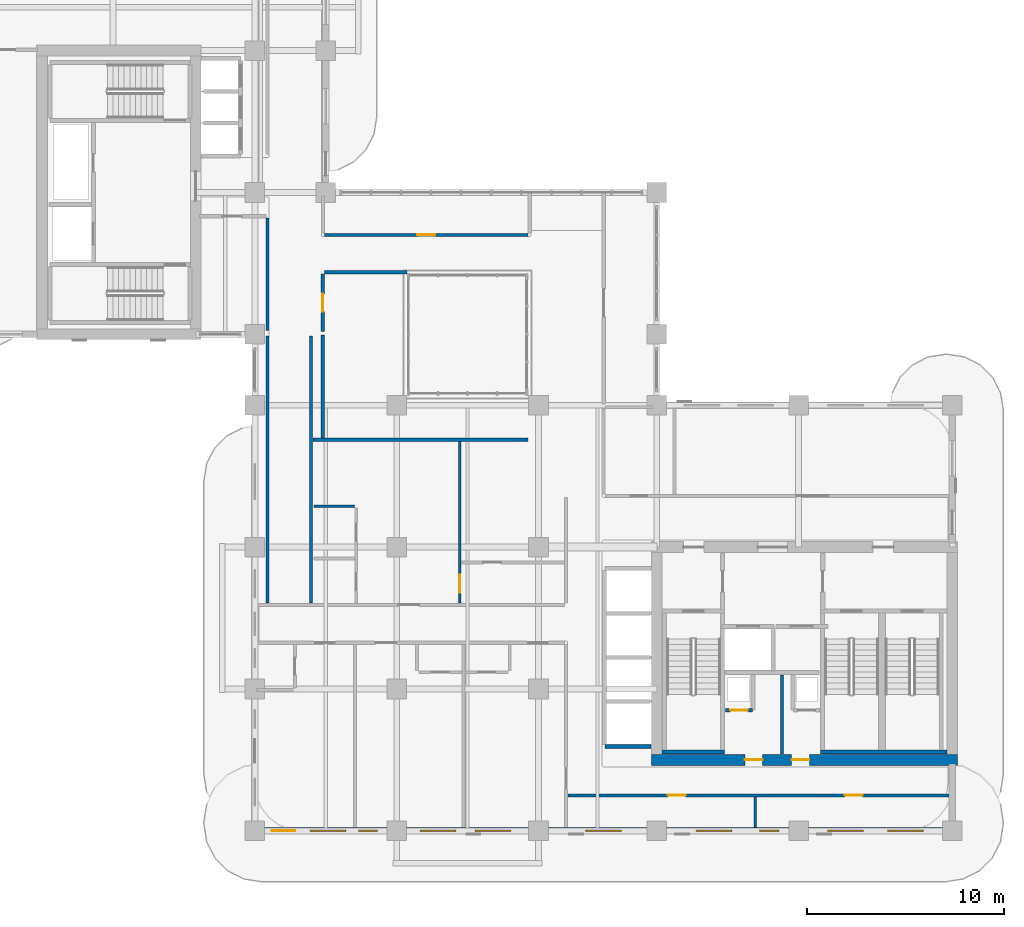
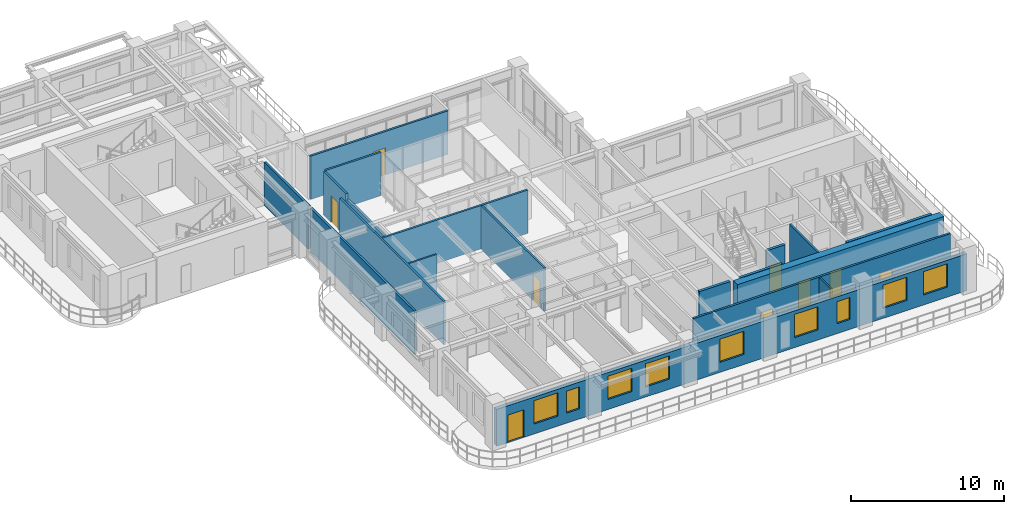
# One storey, part 12 of 20: 19 walls, 9 doors, 9 windows, 18 openings.
"""IFC4 building model written with IfcOpenShell, lengths in metres."""

from ifc_helpers import new_model, si_unit, derived_unit, direction, frame, frame_2d, origin, place, context, subcontext, project, spatial, rectangle, extrude, source, transform, mapped, material, layer, layer_set, type_object, type_shapes, element, fill, save


model = new_model("IFC4")

# Units and contexts
model_context = context("Model", 3, precision=1e-05, world=origin(), true_north=direction((0.0, 1.0)))
body_context = subcontext(model_context, "Body", "Model", "MODEL_VIEW")
ifc_project = project(units=[si_unit("LENGTHUNIT", "METRE"), si_unit("AREAUNIT", "SQUARE_METRE"), si_unit("VOLUMEUNIT", "CUBIC_METRE"), si_unit("PLANEANGLEUNIT", "RADIAN"), si_unit("MASSUNIT", "GRAM", prefix="KILO"), si_unit("THERMODYNAMICTEMPERATUREUNIT", "KELVIN"), si_unit("POWERUNIT", "WATT"), derived_unit("THERMALTRANSMITTANCEUNIT", [(si_unit("POWERUNIT", "WATT"), 1), (si_unit("AREAUNIT", "SQUARE_METRE"), -1), (si_unit("THERMODYNAMICTEMPERATUREUNIT", "KELVIN"), -1)])], contexts=[model_context])

# Site, building, storey
site_placement = place(None, origin())
site = spatial("IfcSite", under=ifc_project, at=site_placement, CompositionType="ELEMENT")
building_placement = place(site_placement, origin())
building = spatial("IfcBuilding", under=site, at=building_placement, Name="Zahravan Archway Hotel and Residences", CompositionType="ELEMENT")
storey_placement = place(building_placement, frame((0.0, 0.0, 130.300048828125)))
storey = spatial("IfcBuildingStorey", under=building, at=storey_placement, Name="L32", CompositionType="ELEMENT", Elevation=130.300048828125)

# Wall, openings, doors
ifc_material_1 = material(Name="Concrete C70/85", Category="concrete")
ifc_layer_1 = layer(ifc_material_1, 0.550048828125, Name="Concrete C70/85", Category="concrete")
ifc_layer_set_1 = layer_set([ifc_layer_1], Name="Concrete C70/85")
wall_type_1 = type_object("IfcWallType", Name="CW-CORE-550", PredefinedType="SHEAR", material=ifc_layer_set_1)
wall_1_placement = place(storey_placement, frame((34.52490234375, 3.60009765625, 0.0), z_axis=(0.0, 0.0, 1.0), x_axis=(1.0, 0.0, 0.0)))
wall_1 = element("IfcWall", 1, at=wall_1_placement, inside=storey, type_object=wall_type_1, Name="L32 Core A Shear S Wall 550 mm", PredefinedType="SHEAR", context=body_context, shape_type="SweptSolid", body=[
    extrude(rectangle(XDim=15.550048828125, YDim=0.550048828125, at=frame_2d((7.77490234375, 0.0))), origin(), (0.0, 0.0, 1.0), 3.699951171875),
])
opening_1_placement = place(wall_1_placement, frame((4.7451171875, 0.0, 0.0)))
opening_1 = element("IfcOpeningElement", 2, at=opening_1_placement, cuts=wall_1, Name="Opening FD-R1", PredefinedType="OPENING", context=body_context, shape_type="SweptSolid", body=[
    extrude(rectangle(XDim=0.89990234375, YDim=2.10009765625, at=frame_2d((0.449951171875, 1.050048828125))), frame((0.0, 0.28515625, 0.0), z_axis=(0.0, -1.0, 0.0), x_axis=(1.0, 0.0, 0.0)), (0.0, 0.0, 1.0), 0.570068359375),
])
opening_2_placement = place(wall_1_placement, frame((7.125, 0.0, 0.0)))
opening_2 = element("IfcOpeningElement", 3, at=opening_2_placement, cuts=wall_1, Name="Opening FD-R1", PredefinedType="OPENING", context=body_context, shape_type="SweptSolid", body=[
    extrude(rectangle(XDim=0.89990234375, YDim=2.10009765625, at=frame_2d((0.449951171875, 1.050048828125))), frame((0.0, 0.28515625, 0.0), z_axis=(0.0, -1.0, 0.0), x_axis=(1.0, 0.0, 0.0)), (0.0, 0.0, 1.0), 0.570068359375),
])
ifc_material_2 = material(Name="Fire-Rated Painted Steel", Category="steel")
door_type_1 = type_object("IfcDoorType", Name="FD-RISER-900", OperationType="NOTDEFINED", PredefinedType="DOOR", material=ifc_material_2)
shared_shape_1 = source(origin(), body_context, "Body", "SweptSolid", [
    extrude(rectangle(XDim=0.89990234375, YDim=2.10009765625, at=frame_2d((0.449951171875, 1.050048828125))), frame((0.0, 0.02490234375, 0.0), z_axis=(0.0, -1.0, 0.0), x_axis=(1.0, 0.0, 0.0)), (0.0, 0.0, 1.0), 0.050048828125),
])
type_shapes(door_type_1, [shared_shape_1])
door_1_placement = place(opening_1_placement, origin())
door_1 = element("IfcDoor", 4, at=door_1_placement, inside=storey, type_object=door_type_1, Name="L32 Fan Room Door", OperationType="SINGLE_SWING_LEFT", OverallHeight=2.10009765625, OverallWidth=0.89990234375, PredefinedType="DOOR", context=body_context, shape_type="MappedRepresentation", body=[
    mapped(shared_shape_1, transform((0.0, 0.0, 0.0), scale=1.0)),
])
fill(opening_1, door_1)
door_2_placement = place(opening_2_placement, origin())
door_2 = element("IfcDoor", 5, at=door_2_placement, inside=storey, type_object=door_type_1, Name="L32 Sub-Meter Cupboard Door", OperationType="SINGLE_SWING_RIGHT", OverallHeight=2.10009765625, OverallWidth=0.89990234375, PredefinedType="DOOR", context=body_context, shape_type="MappedRepresentation", body=[
    mapped(shared_shape_1, transform((0.0, 0.0, 0.0), scale=1.0)),
])
fill(opening_2, door_2)

# Wall, openings, door, windows
ifc_material_3 = material(Name="Agra Buff Sandstone & Insulated Backup", Category="masonry")
ifc_layer_2 = layer(ifc_material_3, 0.320068359375, Name="Agra Buff Sandstone & Insulated Backup", Category="masonry")
ifc_layer_set_2 = layer_set([ifc_layer_2], Name="Agra Buff Sandstone & Insulated Backup")
wall_type_2 = type_object("IfcWallType", Name="EW-SAND-320", PredefinedType="SOLIDWALL", material=ifc_layer_set_2)
wall_2_placement = place(storey_placement, frame((14.39990234375, 0.0, 0.0), z_axis=(0.0, 0.0, 1.0), x_axis=(1.0, 0.0, 0.0)))
wall_2 = element("IfcWall", 6, at=wall_2_placement, inside=storey, type_object=wall_type_2, Name="L32 Exterior Sandstone Wall WA-S", PredefinedType="SOLIDWALL", context=body_context, shape_type="SweptSolid", body=[
    extrude(rectangle(XDim=35.400146484375, YDim=0.320068359375, at=frame_2d((17.7001953125, 0.0))), origin(), (0.0, 0.0, 1.0), 2.93505859375),
])
opening_3_placement = place(wall_2_placement, frame((0.85009765625, 0.0, 0.0)))
opening_3 = element("IfcOpeningElement", 7, at=opening_3_placement, cuts=wall_2, Name="Opening ED-BL1", PredefinedType="OPENING", context=body_context, shape_type="SweptSolid", body=[
    extrude(rectangle(XDim=1.199951171875, YDim=2.199951171875, at=frame_2d((0.60009765625, 1.10009765625))), frame((0.0, 0.169921875, 0.0), z_axis=(0.0, -1.0, 0.0), x_axis=(1.0, 0.0, 0.0)), (0.0, 0.0, 1.0), 0.340087890625),
])
opening_4_placement = place(wall_2_placement, frame((2.81103515625, 0.0, 0.800048828125)))
opening_4 = element("IfcOpeningElement", 8, at=opening_4_placement, cuts=wall_2, Name="Opening W-02", PredefinedType="OPENING", context=body_context, shape_type="SweptSolid", body=[
    extrude(rectangle(XDim=1.800048828125, YDim=1.85009765625, at=frame_2d((0.89990234375, 0.925048828125))), frame((0.0, 0.169921875, 0.0), z_axis=(0.0, -1.0, 0.0), x_axis=(1.0, 0.0, 0.0)), (0.0, 0.0, 1.0), 0.340087890625),
])
opening_5_placement = place(wall_2_placement, frame((5.26904296875, 0.0, 0.800048828125)))
opening_5 = element("IfcOpeningElement", 9, at=opening_5_placement, cuts=wall_2, Name="Opening W-04", PredefinedType="OPENING", context=body_context, shape_type="SweptSolid", body=[
    extrude(rectangle(XDim=0.949951171875, YDim=1.75, at=frame_2d((0.47509765625, 0.875))), frame((0.0, 0.169921875, 0.0), z_axis=(0.0, -1.0, 0.0), x_axis=(1.0, 0.0, 0.0)), (0.0, 0.0, 1.0), 0.340087890625),
])
opening_6_placement = place(wall_2_placement, frame((8.388916015625, 0.0, 0.800048828125)))
opening_6 = element("IfcOpeningElement", 10, at=opening_6_placement, cuts=wall_2, Name="Opening W-02", PredefinedType="OPENING", context=body_context, shape_type="SweptSolid", body=[
    extrude(rectangle(XDim=1.800048828125, YDim=1.85009765625, at=frame_2d((0.89990234375, 0.925048828125))), frame((0.0, 0.169921875, 0.0), z_axis=(0.0, -1.0, 0.0), x_axis=(1.0, 0.0, 0.0)), (0.0, 0.0, 1.0), 0.340087890625),
])
opening_7_placement = place(wall_2_placement, frame((11.197021484375, 0.0, 0.800048828125)))
opening_7 = element("IfcOpeningElement", 11, at=opening_7_placement, cuts=wall_2, Name="Opening W-02", PredefinedType="OPENING", context=body_context, shape_type="SweptSolid", body=[
    extrude(rectangle(XDim=1.800048828125, YDim=1.85009765625, at=frame_2d((0.89990234375, 0.925048828125))), frame((0.0, 0.169921875, 0.0), z_axis=(0.0, -1.0, 0.0), x_axis=(1.0, 0.0, 0.0)), (0.0, 0.0, 1.0), 0.340087890625),
])
opening_8_placement = place(wall_2_placement, frame((16.803955078125, 0.0, 0.800048828125)))
opening_8 = element("IfcOpeningElement", 12, at=opening_8_placement, cuts=wall_2, Name="Opening W-02", PredefinedType="OPENING", context=body_context, shape_type="SweptSolid", body=[
    extrude(rectangle(XDim=1.800048828125, YDim=1.85009765625, at=frame_2d((0.89990234375, 0.925048828125))), frame((0.0, 0.169921875, 0.0), z_axis=(0.0, -1.0, 0.0), x_axis=(1.0, 0.0, 0.0)), (0.0, 0.0, 1.0), 0.340087890625),
])
opening_9_placement = place(wall_2_placement, frame((22.39599609375, 0.0, 0.800048828125)))
opening_9 = element("IfcOpeningElement", 13, at=opening_9_placement, cuts=wall_2, Name="Opening W-02", PredefinedType="OPENING", context=body_context, shape_type="SweptSolid", body=[
    extrude(rectangle(XDim=1.800048828125, YDim=1.85009765625, at=frame_2d((0.89990234375, 0.925048828125))), frame((0.0, 0.169921875, 0.0), z_axis=(0.0, -1.0, 0.0), x_axis=(1.0, 0.0, 0.0)), (0.0, 0.0, 1.0), 0.340087890625),
])
opening_10_placement = place(wall_2_placement, frame((25.62890625, 0.0, 0.800048828125)))
opening_10 = element("IfcOpeningElement", 14, at=opening_10_placement, cuts=wall_2, Name="Opening W-04", PredefinedType="OPENING", context=body_context, shape_type="SweptSolid", body=[
    extrude(rectangle(XDim=0.949951171875, YDim=1.75, at=frame_2d((0.47509765625, 0.875))), frame((0.0, 0.169921875, 0.0), z_axis=(0.0, -1.0, 0.0), x_axis=(1.0, 0.0, 0.0)), (0.0, 0.0, 1.0), 0.340087890625),
])
opening_11_placement = place(wall_2_placement, frame((29.074951171875, 0.0, 0.800048828125)))
opening_11 = element("IfcOpeningElement", 15, at=opening_11_placement, cuts=wall_2, Name="Opening W-02", PredefinedType="OPENING", context=body_context, shape_type="SweptSolid", body=[
    extrude(rectangle(XDim=1.800048828125, YDim=1.85009765625, at=frame_2d((0.89990234375, 0.925048828125))), frame((0.0, 0.169921875, 0.0), z_axis=(0.0, -1.0, 0.0), x_axis=(1.0, 0.0, 0.0)), (0.0, 0.0, 1.0), 0.340087890625),
])
opening_12_placement = place(wall_2_placement, frame((32.125, 0.0, 0.800048828125)))
opening_12 = element("IfcOpeningElement", 16, at=opening_12_placement, cuts=wall_2, Name="Opening W-02", PredefinedType="OPENING", context=body_context, shape_type="SweptSolid", body=[
    extrude(rectangle(XDim=1.800048828125, YDim=1.85009765625, at=frame_2d((0.89990234375, 0.925048828125))), frame((0.0, 0.169921875, 0.0), z_axis=(0.0, -1.0, 0.0), x_axis=(1.0, 0.0, 0.0)), (0.0, 0.0, 1.0), 0.340087890625),
])
ifc_material_4 = material(Name="Bronze-Anodized Glazed Aluminium", Category="aluminium")
door_type_2 = type_object("IfcDoorType", Name="ED-BALC-1200", OperationType="SLIDING_TO_LEFT", PredefinedType="DOOR", material=ifc_material_4)
shared_shape_2 = source(origin(), body_context, "Body", "SweptSolid", [
    extrude(rectangle(XDim=1.199951171875, YDim=2.199951171875, at=frame_2d((0.60009765625, 1.10009765625))), frame((0.0, 0.02490234375, 0.0), z_axis=(0.0, -1.0, 0.0), x_axis=(1.0, 0.0, 0.0)), (0.0, 0.0, 1.0), 0.050048828125),
])
type_shapes(door_type_2, [shared_shape_2])
door_3_placement = place(opening_3_placement, origin())
door_3 = element("IfcDoor", 17, at=door_3_placement, inside=storey, type_object=door_type_2, Name="L32 Outdoor Access Sliding Door (SLB-BAL-L32-SA)", OperationType="SLIDING_TO_LEFT", OverallHeight=2.199951171875, OverallWidth=1.199951171875, PredefinedType="DOOR", context=body_context, shape_type="MappedRepresentation", body=[
    mapped(shared_shape_2, transform((0.0, 0.0, 0.0), scale=1.0)),
])
fill(opening_3, door_3)
ifc_material_5 = material(Name="Bronze-Anodized Thermal-Break Aluminium & Low-E Glass", Category="aluminium")
window_type_1 = type_object("IfcWindowType", Name="WIN-NAR-950", PartitioningType="SINGLE_PANEL", PredefinedType="WINDOW", material=ifc_material_5)
shared_shape_3 = source(origin(), body_context, "Body", "SweptSolid", [
    extrude(rectangle(XDim=0.949951171875, YDim=1.75, at=frame_2d((0.47509765625, 0.875))), frame((0.0, 0.030029296875, 0.0), z_axis=(0.0, -1.0, 0.0), x_axis=(1.0, 0.0, 0.0)), (0.0, 0.0, 1.0), 0.06005859375),
])
type_shapes(window_type_1, [shared_shape_3])
window_1_placement = place(opening_5_placement, origin())
window_1 = element("IfcWindow", 18, at=window_1_placement, inside=storey, type_object=window_type_1, Name="L32 Loggia Window 02", OverallHeight=1.75, OverallWidth=0.949951171875, PartitioningType="SINGLE_PANEL", PredefinedType="WINDOW", context=body_context, shape_type="MappedRepresentation", body=[
    mapped(shared_shape_3, transform((0.0, 0.0, 0.0), scale=1.0)),
])
fill(opening_5, window_1)
window_2_placement = place(opening_10_placement, origin())
window_2 = element("IfcWindow", 19, at=window_2_placement, inside=storey, type_object=window_type_1, Name="L32 Loggia Window 07", OverallHeight=1.75, OverallWidth=0.949951171875, PartitioningType="SINGLE_PANEL", PredefinedType="WINDOW", context=body_context, shape_type="MappedRepresentation", body=[
    mapped(shared_shape_3, transform((0.0, 0.0, 0.0), scale=1.0)),
])
fill(opening_10, window_2)
window_type_2 = type_object("IfcWindowType", Name="WIN-TWR-1800", PartitioningType="DOUBLE_PANEL_VERTICAL", PredefinedType="WINDOW", material=ifc_material_5)
shared_shape_4 = source(origin(), body_context, "Body", "SweptSolid", [
    extrude(rectangle(XDim=1.800048828125, YDim=1.85009765625, at=frame_2d((0.89990234375, 0.925048828125))), frame((0.0, 0.030029296875, 0.0), z_axis=(0.0, -1.0, 0.0), x_axis=(1.0, 0.0, 0.0)), (0.0, 0.0, 1.0), 0.06005859375),
])
type_shapes(window_type_2, [shared_shape_4])
window_3_placement = place(opening_4_placement, origin())
window_3 = element("IfcWindow", 20, at=window_3_placement, inside=storey, type_object=window_type_2, Name="L32 Loggia Window 01", OverallHeight=1.85009765625, OverallWidth=1.800048828125, PartitioningType="DOUBLE_PANEL_VERTICAL", PredefinedType="WINDOW", context=body_context, shape_type="MappedRepresentation", body=[
    mapped(shared_shape_4, transform((0.0, 0.0, 0.0), scale=1.0)),
])
fill(opening_4, window_3)
window_4_placement = place(opening_6_placement, origin())
window_4 = element("IfcWindow", 21, at=window_4_placement, inside=storey, type_object=window_type_2, Name="L32 Loggia Window 03", OverallHeight=1.85009765625, OverallWidth=1.800048828125, PartitioningType="DOUBLE_PANEL_VERTICAL", PredefinedType="WINDOW", context=body_context, shape_type="MappedRepresentation", body=[
    mapped(shared_shape_4, transform((0.0, 0.0, 0.0), scale=1.0)),
])
fill(opening_6, window_4)
window_5_placement = place(opening_7_placement, origin())
window_5 = element("IfcWindow", 22, at=window_5_placement, inside=storey, type_object=window_type_2, Name="L32 Loggia Window 04", OverallHeight=1.85009765625, OverallWidth=1.800048828125, PartitioningType="DOUBLE_PANEL_VERTICAL", PredefinedType="WINDOW", context=body_context, shape_type="MappedRepresentation", body=[
    mapped(shared_shape_4, transform((0.0, 0.0, 0.0), scale=1.0)),
])
fill(opening_7, window_5)
window_6_placement = place(opening_8_placement, origin())
window_6 = element("IfcWindow", 23, at=window_6_placement, inside=storey, type_object=window_type_2, Name="L32 Loggia Window 05", OverallHeight=1.85009765625, OverallWidth=1.800048828125, PartitioningType="DOUBLE_PANEL_VERTICAL", PredefinedType="WINDOW", context=body_context, shape_type="MappedRepresentation", body=[
    mapped(shared_shape_4, transform((0.0, 0.0, 0.0), scale=1.0)),
])
fill(opening_8, window_6)
window_7_placement = place(opening_9_placement, origin())
window_7 = element("IfcWindow", 24, at=window_7_placement, inside=storey, type_object=window_type_2, Name="L32 Loggia Window 06", OverallHeight=1.85009765625, OverallWidth=1.800048828125, PartitioningType="DOUBLE_PANEL_VERTICAL", PredefinedType="WINDOW", context=body_context, shape_type="MappedRepresentation", body=[
    mapped(shared_shape_4, transform((0.0, 0.0, 0.0), scale=1.0)),
])
fill(opening_9, window_7)
window_8_placement = place(opening_11_placement, origin())
window_8 = element("IfcWindow", 25, at=window_8_placement, inside=storey, type_object=window_type_2, Name="L32 Loggia Window 08", OverallHeight=1.85009765625, OverallWidth=1.800048828125, PartitioningType="DOUBLE_PANEL_VERTICAL", PredefinedType="WINDOW", context=body_context, shape_type="MappedRepresentation", body=[
    mapped(shared_shape_4, transform((0.0, 0.0, 0.0), scale=1.0)),
])
fill(opening_11, window_8)
window_9_placement = place(opening_12_placement, origin())
window_9 = element("IfcWindow", 26, at=window_9_placement, inside=storey, type_object=window_type_2, Name="L32 Loggia Window 09", OverallHeight=1.85009765625, OverallWidth=1.800048828125, PartitioningType="DOUBLE_PANEL_VERTICAL", PredefinedType="WINDOW", context=body_context, shape_type="MappedRepresentation", body=[
    mapped(shared_shape_4, transform((0.0, 0.0, 0.0), scale=1.0)),
])
fill(opening_12, window_9)

# Wall, openings, doors
ifc_material_6 = material(Name="Fire-Rated Gypsum & Concrete Block", Category="concrete")
ifc_layer_3 = layer(ifc_material_6, 0.159912109375, Name="Fire-Rated Gypsum & Concrete Block", Category="concrete")
ifc_layer_set_3 = layer_set([ifc_layer_3], Name="Fire-Rated Gypsum & Concrete Block")
wall_type_3 = type_object("IfcWallType", Name="PW-CORR-160", PredefinedType="PARTITIONING", material=ifc_layer_set_3)
wall_3_placement = place(storey_placement, frame((30.2900390625, 1.800048828125, 0.0), z_axis=(0.0, 0.0, 1.0), x_axis=(1.0, 0.0, 0.0)))
wall_3 = element("IfcWall", 27, at=wall_3_placement, inside=storey, type_object=wall_type_3, Name="L32 Partition WA-SRS", PredefinedType="PARTITIONING", context=body_context, shape_type="SweptSolid", body=[
    extrude(rectangle(XDim=19.369873046875, YDim=0.159912109375, at=frame_2d((9.68505859375, 0.0))), origin(), (0.0, 0.0, 1.0), 3.449951171875),
])
opening_13_placement = place(wall_3_placement, frame((5.07421875, 0.0, 0.0)))
opening_13 = element("IfcOpeningElement", 28, at=opening_13_placement, cuts=wall_3, Name="Opening D-I2", PredefinedType="OPENING", context=body_context, shape_type="SweptSolid", body=[
    extrude(rectangle(XDim=0.89990234375, YDim=2.14990234375, at=frame_2d((0.449951171875, 1.074951171875))), frame((0.0, 0.08984375, 0.0), z_axis=(0.0, -1.0, 0.0), x_axis=(1.0, 0.0, 0.0)), (0.0, 0.0, 1.0), 0.179931640625),
])
opening_14_placement = place(wall_3_placement, frame((14.06005859375, 0.0, 0.0)))
opening_14 = element("IfcOpeningElement", 29, at=opening_14_placement, cuts=wall_3, Name="Opening D-I2", PredefinedType="OPENING", context=body_context, shape_type="SweptSolid", body=[
    extrude(rectangle(XDim=0.89990234375, YDim=2.14990234375, at=frame_2d((0.449951171875, 1.074951171875))), frame((0.0, 0.08984375, 0.0), z_axis=(0.0, -1.0, 0.0), x_axis=(1.0, 0.0, 0.0)), (0.0, 0.0, 1.0), 0.179931640625),
])
ifc_material_7 = material(Name="Hardwood Veneer Timber", Category="wood")
door_type_3 = type_object("IfcDoorType", Name="ID-INT-900", OperationType="NOTDEFINED", PredefinedType="DOOR", material=ifc_material_7)
shared_shape_5 = source(origin(), body_context, "Body", "SweptSolid", [
    extrude(rectangle(XDim=0.89990234375, YDim=2.14990234375, at=frame_2d((0.449951171875, 1.074951171875))), frame((0.0, 0.02490234375, 0.0), z_axis=(0.0, -1.0, 0.0), x_axis=(1.0, 0.0, 0.0)), (0.0, 0.0, 1.0), 0.050048828125),
])
type_shapes(door_type_3, [shared_shape_5])
door_4_placement = place(opening_13_placement, origin())
door_4 = element("IfcDoor", 30, at=door_4_placement, inside=storey, type_object=door_type_3, Name="L32 South Study Door", OperationType="SINGLE_SWING_LEFT", OverallHeight=2.14990234375, OverallWidth=0.89990234375, PredefinedType="DOOR", context=body_context, shape_type="MappedRepresentation", body=[
    mapped(shared_shape_5, transform((0.0, 0.0, 0.0), scale=1.0)),
])
fill(opening_13, door_4)
door_5_placement = place(opening_14_placement, origin())
door_5 = element("IfcDoor", 31, at=door_5_placement, inside=storey, type_object=door_type_3, Name="L32 South Pantry Door", OperationType="SINGLE_SWING_RIGHT", OverallHeight=2.14990234375, OverallWidth=0.89990234375, PredefinedType="DOOR", context=body_context, shape_type="MappedRepresentation", body=[
    mapped(shared_shape_5, transform((0.0, 0.0, 0.0), scale=1.0)),
])
fill(opening_14, door_5)

# Walls
for number, where, z_axis, x_axis, name in (
    (32, (15.050048828125, 11.56005859375, 0.0), (0.0, 0.0, 1.0), (0.0, 1.0, 0.0), "L32 Partition LNK-W"),
    (33, (17.25, 11.56005859375, 0.0), (0.0, 0.0, 1.0), (0.0, 1.0, 0.0), "L32 Partition LNK-E"),
):
    element("IfcWall", number, at=place(storey_placement, frame(where, z_axis=z_axis, x_axis=x_axis)), inside=storey, type_object=wall_type_3, Name=name, PredefinedType="PARTITIONING", context=body_context, shape_type="SweptSolid", body=[
        extrude(rectangle(XDim=13.550048828125, YDim=0.159912109375, at=frame_2d((6.77490234375, 0.0))), origin(), (0.0, 0.0, 1.0), 3.449951171875),
    ])
wall_4_placement = place(storey_placement, frame((15.050048828125, 25.389892578125, 0.0), z_axis=(0.0, 0.0, 1.0), x_axis=(0.0, 1.0, 0.0)))
element("IfcWall", 34, at=wall_4_placement, inside=storey, type_object=wall_type_3, Name="L32 Partition FB1-E", PredefinedType="PARTITIONING", context=body_context, shape_type="SweptSolid", body=[
    extrude(rectangle(XDim=5.72021484375, YDim=0.159912109375, at=frame_2d((2.860107421875, 0.0))), origin(), (0.0, 0.0, 1.0), 3.449951171875),
])
wall_5_placement = place(storey_placement, frame((17.93994140625, 28.35009765625, 0.0), z_axis=(0.0, 0.0, 1.0), x_axis=(1.0, 0.0, 0.0)))
element("IfcWall", 35, at=wall_5_placement, inside=storey, type_object=wall_type_3, Name="L32 Partition ATR-NW2S", PredefinedType="PARTITIONING", context=body_context, shape_type="SweptSolid", body=[
    extrude(rectangle(XDim=4.170166015625, YDim=0.159912109375, at=frame_2d((2.0849609375, 0.0))), origin(), (0.0, 0.0, 1.0), 3.449951171875),
])

# Wall, opening, door
wall_6_placement = place(storey_placement, frame((17.93994140625, 30.25, 0.0), z_axis=(0.0, 0.0, 1.0), x_axis=(1.0, 0.0, 0.0)))
wall_6 = element("IfcWall", 36, at=wall_6_placement, inside=storey, type_object=wall_type_3, Name="L32 Partition ATR-NW2N", PredefinedType="PARTITIONING", context=body_context, shape_type="SweptSolid", body=[
    extrude(rectangle(XDim=10.320068359375, YDim=0.159912109375, at=frame_2d((5.16015625, 0.0))), origin(), (0.0, 0.0, 1.0), 3.449951171875),
])
opening_15_placement = place(wall_6_placement, frame((4.7099609375, 0.0, 0.0)))
opening_15 = element("IfcOpeningElement", 37, at=opening_15_placement, cuts=wall_6, Name="Opening D-I2", PredefinedType="OPENING", context=body_context, shape_type="SweptSolid", body=[
    extrude(rectangle(XDim=0.89990234375, YDim=2.14990234375, at=frame_2d((0.449951171875, 1.074951171875))), frame((0.0, 0.08984375, 0.0), z_axis=(0.0, -1.0, 0.0), x_axis=(1.0, 0.0, 0.0)), (0.0, 0.0, 1.0), 0.179931640625),
])
door_6_placement = place(opening_15_placement, origin())
door_6 = element("IfcDoor", 38, at=door_6_placement, inside=storey, type_object=door_type_3, Name="L32 Atrium North Seminar Door", OperationType="SINGLE_SWING_LEFT", OverallHeight=2.14990234375, OverallWidth=0.89990234375, PredefinedType="DOOR", context=body_context, shape_type="MappedRepresentation", body=[
    mapped(shared_shape_5, transform((0.0, 0.0, 0.0), scale=1.0)),
])
fill(opening_15, door_6)

# Walls
wall_7_placement = place(storey_placement, frame((17.340087890625, 19.85009765625, 0.0), z_axis=(0.0, 0.0, 1.0), x_axis=(1.0, 0.0, 0.0)))
element("IfcWall", 39, at=wall_7_placement, inside=storey, type_object=wall_type_3, Name="L32 Partition ATR-S", PredefinedType="PARTITIONING", context=body_context, shape_type="SweptSolid", body=[
    extrude(rectangle(XDim=10.919921875, YDim=0.159912109375, at=frame_2d((5.4599609375, 0.0))), origin(), (0.0, 0.0, 1.0), 3.449951171875),
])
ifc_material_8 = material(Name="Acoustic Stud Partition")
ifc_layer_4 = layer(ifc_material_8, 0.125, Name="Acoustic Stud Partition")
ifc_layer_set_4 = layer_set([ifc_layer_4], Name="Acoustic Stud Partition")
wall_type_4 = type_object("IfcWallType", Name="PW-INT-125", PredefinedType="PARTITIONING", material=ifc_layer_set_4)
wall_8_placement = place(storey_placement, frame((39.800048828125, 0.16796875, 0.0), z_axis=(0.0, 0.0, 1.0), x_axis=(0.0, 1.0, 0.0)))
element("IfcWall", 40, at=wall_8_placement, inside=storey, type_object=wall_type_4, Name="L32 Partition S-DIV1", PredefinedType="PARTITIONING", context=body_context, shape_type="SweptSolid", body=[
    extrude(rectangle(XDim=1.5419921875, YDim=0.125, at=frame_2d((0.77099609375, 0.0))), origin(), (0.0, 0.0, 1.0), 3.449951171875),
])

# Wall, opening, door
ifc_layer_5 = layer(ifc_material_6, 0.199951171875, Name="Fire-Rated Gypsum & Concrete Block", Category="concrete")
ifc_layer_set_5 = layer_set([ifc_layer_5], Name="Fire-Rated Gypsum & Concrete Block")
wall_type_5 = type_object("IfcWallType", Name="PW-SHAFT-200", PredefinedType="PARTITIONING", material=ifc_layer_set_5)
wall_9_placement = place(storey_placement, frame((38.2900390625, 6.1201171875, 0.0), z_axis=(0.0, 0.0, 1.0), x_axis=(1.0, 0.0, 0.0)))
wall_9 = element("IfcWall", 41, at=wall_9_placement, inside=storey, type_object=wall_type_5, Name="L32 Partition CA-SMKS", PredefinedType="PARTITIONING", context=body_context, shape_type="SweptSolid", body=[
    extrude(rectangle(XDim=1.3798828125, YDim=0.199951171875, at=frame_2d((0.68994140625, 0.0))), origin(), (0.0, 0.0, 1.0), 3.449951171875),
])
opening_16_placement = place(wall_9_placement, frame((0.239990234375, 0.0, 0.0)))
opening_16 = element("IfcOpeningElement", 42, at=opening_16_placement, cuts=wall_9, Name="Opening FD-R1", PredefinedType="OPENING", context=body_context, shape_type="SweptSolid", body=[
    extrude(rectangle(XDim=0.89990234375, YDim=2.10009765625, at=frame_2d((0.449951171875, 1.050048828125))), frame((0.0, 0.10986328125, 0.0), z_axis=(0.0, -1.0, 0.0), x_axis=(1.0, 0.0, 0.0)), (0.0, 0.0, 1.0), 0.219970703125),
])
door_7_placement = place(opening_16_placement, origin())
door_7 = element("IfcDoor", 43, at=door_7_placement, inside=storey, type_object=door_type_1, Name="L32 Smoke Riser Access Door", OperationType="SINGLE_SWING_LEFT", OverallHeight=2.10009765625, OverallWidth=0.89990234375, PredefinedType="DOOR", context=body_context, shape_type="MappedRepresentation", body=[
    mapped(shared_shape_1, transform((0.0, 0.0, 0.0), scale=1.0)),
])
fill(opening_16, door_7)

# Wall
wall_10_placement = place(storey_placement, frame((32.159912109375, 4.280029296875, 0.0), z_axis=(0.0, 0.0, 1.0), x_axis=(1.0, 0.0, 0.0)))
element("IfcWall", 44, at=wall_10_placement, inside=storey, type_object=wall_type_5, Name="L32 Partition B3-S", PredefinedType="PARTITIONING", context=body_context, shape_type="SweptSolid", body=[
    extrude(rectangle(XDim=2.335205078125, YDim=0.199951171875, at=frame_2d((1.16748046875, 0.0))), origin(), (0.0, 0.0, 1.0), 3.449951171875),
])

# Wall, opening, door
ifc_layer_6 = layer(ifc_material_8, 0.14990234375, Name="Acoustic Stud Partition")
ifc_layer_set_6 = layer_set([ifc_layer_6], Name="Acoustic Stud Partition")
wall_type_6 = type_object("IfcWallType", Name="PW-UNIT-150", PredefinedType="PARTITIONING", material=ifc_layer_set_6)
wall_11_placement = place(storey_placement, frame((24.800048828125, 11.56005859375, 0.0), z_axis=(0.0, 0.0, 1.0), x_axis=(0.0, 1.0, 0.0)))
wall_11 = element("IfcWall", 45, at=wall_11_placement, inside=storey, type_object=wall_type_6, Name="L32 Partition FL-AT1-SP", PredefinedType="PARTITIONING", context=body_context, shape_type="SweptSolid", body=[
    extrude(rectangle(XDim=8.199951171875, YDim=0.14990234375, at=frame_2d((4.10009765625, 0.0))), origin(), (0.0, 0.0, 1.0), 3.449951171875),
])
opening_17_placement = place(wall_11_placement, frame((0.534912109375, 0.0, 0.0)))
opening_17 = element("IfcOpeningElement", 46, at=opening_17_placement, cuts=wall_11, Name="Opening D-I2", PredefinedType="OPENING", context=body_context, shape_type="SweptSolid", body=[
    extrude(rectangle(XDim=0.89990234375, YDim=2.14990234375, at=frame_2d((0.449951171875, 1.074951171875))), frame((0.0, 0.0849609375, 0.0), z_axis=(0.0, -1.0, 0.0), x_axis=(1.0, 0.0, 0.0)), (0.0, 0.0, 1.0), 0.169921875),
])
door_8_placement = place(opening_17_placement, origin())
door_8 = element("IfcDoor", 47, at=door_8_placement, inside=storey, type_object=door_type_3, Name="L32 Flat AT1 Bedroom Hall Door", OperationType="SINGLE_SWING_LEFT", OverallHeight=2.14990234375, OverallWidth=0.89990234375, PredefinedType="DOOR", context=body_context, shape_type="MappedRepresentation", body=[
    mapped(shared_shape_5, transform((0.0, 0.0, 0.0), scale=1.0)),
])
fill(opening_17, door_8)

# Wall
ifc_layer_7 = layer(ifc_material_8, 0.169921875, Name="Acoustic Stud Partition")
ifc_layer_set_7 = layer_set([ifc_layer_7], Name="Acoustic Stud Partition")
wall_type_7 = type_object("IfcWallType", Name="PW-UNIT-170", PredefinedType="PARTITIONING", material=ifc_layer_set_7)
wall_12_placement = place(storey_placement, frame((17.85009765625, 19.93994140625, 0.0), z_axis=(0.0, 0.0, 1.0), x_axis=(0.0, 1.0, 0.0)))
element("IfcWall", 48, at=wall_12_placement, inside=storey, type_object=wall_type_7, Name="L32 Partition ATR-NWSL", PredefinedType="PARTITIONING", context=body_context, shape_type="SweptSolid", body=[
    extrude(rectangle(XDim=5.219970703125, YDim=0.169921875, at=frame_2d((2.60986328125, 0.0))), origin(), (0.0, 0.0, 1.0), 3.10498046875),
])

# Wall, opening, door
wall_13_placement = place(storey_placement, frame((17.85009765625, 25.340087890625, 0.0), z_axis=(0.0, 0.0, 1.0), x_axis=(0.0, 1.0, 0.0)))
wall_13 = element("IfcWall", 49, at=wall_13_placement, inside=storey, type_object=wall_type_7, Name="L32 Partition ATR-W2", PredefinedType="PARTITIONING", context=body_context, shape_type="SweptSolid", body=[
    extrude(rectangle(XDim=2.919921875, YDim=0.169921875, at=frame_2d((1.4599609375, 0.0))), origin(), (0.0, 0.0, 1.0), 3.449951171875),
])
opening_18_placement = place(wall_13_placement, frame((1.010009765625, 0.0, 0.0)))
opening_18 = element("IfcOpeningElement", 50, at=opening_18_placement, cuts=wall_13, Name="Opening D-I2", PredefinedType="OPENING", context=body_context, shape_type="SweptSolid", body=[
    extrude(rectangle(XDim=0.89990234375, YDim=2.14990234375, at=frame_2d((0.449951171875, 1.074951171875))), frame((0.0, 0.094970703125, 0.0), z_axis=(0.0, -1.0, 0.0), x_axis=(1.0, 0.0, 0.0)), (0.0, 0.0, 1.0), 0.18994140625),
])
door_9_placement = place(opening_18_placement, origin())
door_9 = element("IfcDoor", 51, at=door_9_placement, inside=storey, type_object=door_type_3, Name="L32 Atrium West Focus Room Door", OperationType="SINGLE_SWING_RIGHT", OverallHeight=2.14990234375, OverallWidth=0.89990234375, PredefinedType="DOOR", context=body_context, shape_type="MappedRepresentation", body=[
    mapped(shared_shape_5, transform((0.0, 0.0, 0.0), scale=1.0)),
])
fill(opening_18, door_9)

# Walls
ifc_material_9 = material(Name="Moisture-Resistant Blockwork", Category="masonry")
ifc_layer_8 = layer(ifc_material_9, 0.139892578125, Name="Moisture-Resistant Blockwork", Category="masonry")
ifc_layer_set_8 = layer_set([ifc_layer_8], Name="Moisture-Resistant Blockwork")
wall_type_8 = type_object("IfcWallType", Name="PW-WET-140", PredefinedType="PARTITIONING", material=ifc_layer_set_8)
wall_14_placement = place(storey_placement, frame((41.14990234375, 3.89501953125, 0.0), z_axis=(0.0, 0.0, 1.0), x_axis=(0.0, 1.0, 0.0)))
element("IfcWall", 52, at=wall_14_placement, inside=storey, type_object=wall_type_8, Name="L32 Partition CA-CV2V", PredefinedType="PARTITIONING", context=body_context, shape_type="SweptSolid", body=[
    extrude(rectangle(XDim=4.014892578125, YDim=0.139892578125, at=frame_2d((2.00732421875, 0.0))), origin(), (0.0, 0.0, 1.0), 3.449951171875),
])
wall_15_placement = place(storey_placement, frame((17.389892578125, 16.469970703125, 0.0), z_axis=(0.0, 0.0, 1.0), x_axis=(1.0, 0.0, 0.0)))
element("IfcWall", 53, at=wall_15_placement, inside=storey, type_object=wall_type_8, Name="L32 Partition FL-AT1-KH", PredefinedType="PARTITIONING", context=body_context, shape_type="SweptSolid", body=[
    extrude(rectangle(XDim=2.070068359375, YDim=0.139892578125, at=frame_2d((1.03515625, 0.0))), origin(), (0.0, 0.0, 1.0), 3.449951171875),
])
ifc_material_10 = material(Name="Concrete C50/60", Category="concrete")
ifc_layer_9 = layer(ifc_material_10, 0.199951171875, Name="Concrete C50/60", Category="concrete")
ifc_layer_set_9 = layer_set([ifc_layer_9], Name="Concrete C50/60")
wall_type_9 = type_object("IfcWallType", Name="SW-STAIR-200", PredefinedType="SHEAR", material=ifc_layer_set_9)
wall_16_placement = place(storey_placement, frame((35.074951171875, 4.0, 0.0), z_axis=(0.0, 0.0, 1.0), x_axis=(1.0, 0.0, 0.0)))
element("IfcWall", 54, at=wall_16_placement, inside=storey, type_object=wall_type_9, Name="L32 Stairwell RC Wall CA-SA1S", PredefinedType="SHEAR", context=body_context, shape_type="SweptSolid", body=[
    extrude(rectangle(XDim=3.1650390625, YDim=0.199951171875, at=frame_2d((1.58251953125, 0.0))), origin(), (0.0, 0.0, 1.0), 3.699951171875),
])
wall_17_placement = place(storey_placement, frame((43.1201171875, 4.0, 0.0), z_axis=(0.0, 0.0, 1.0), x_axis=(1.0, 0.0, 0.0)))
element("IfcWall", 55, at=wall_17_placement, inside=storey, type_object=wall_type_9, Name="L32 Stairwell RC Wall CA-SA23S", PredefinedType="SHEAR", context=body_context, shape_type="SweptSolid", body=[
    extrude(rectangle(XDim=6.40478515625, YDim=0.199951171875, at=frame_2d((3.202392578125, 0.0))), origin(), (0.0, 0.0, 1.0), 3.699951171875),
])

save(model, "model.ifc")
